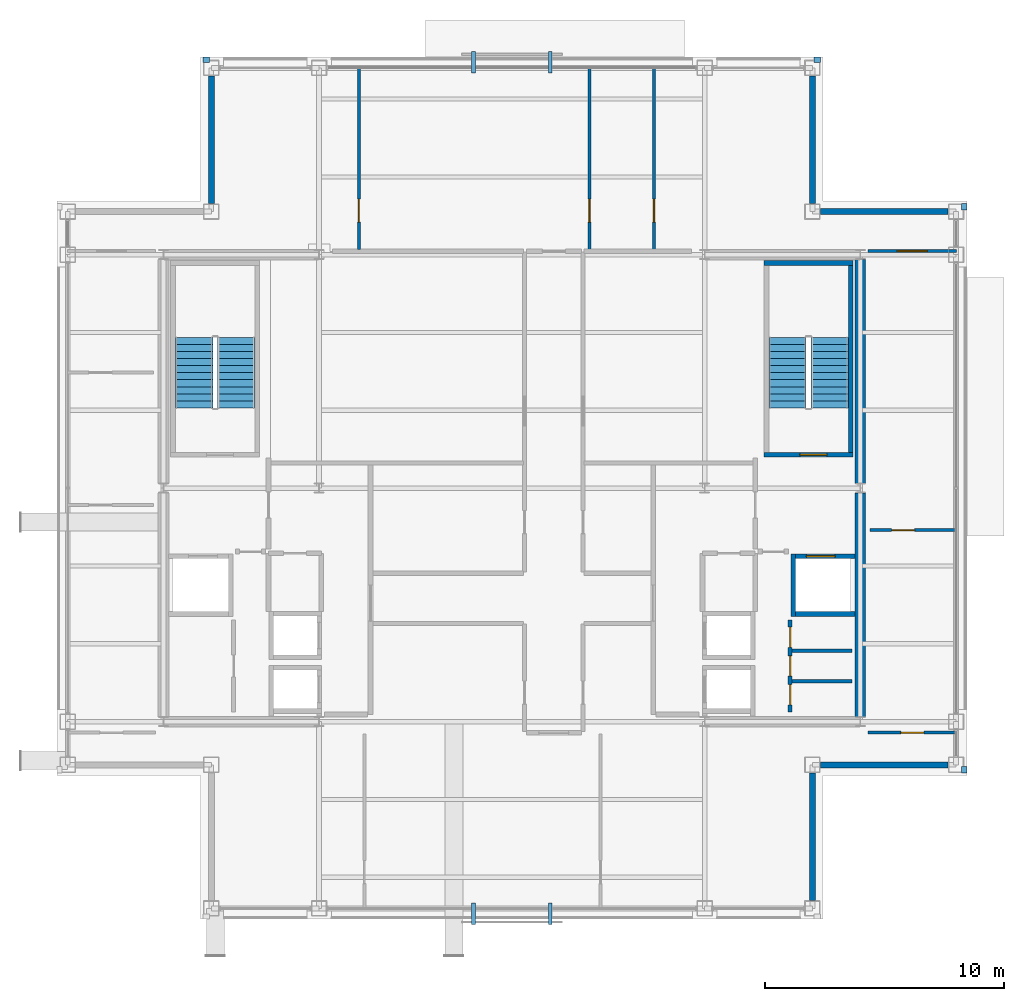
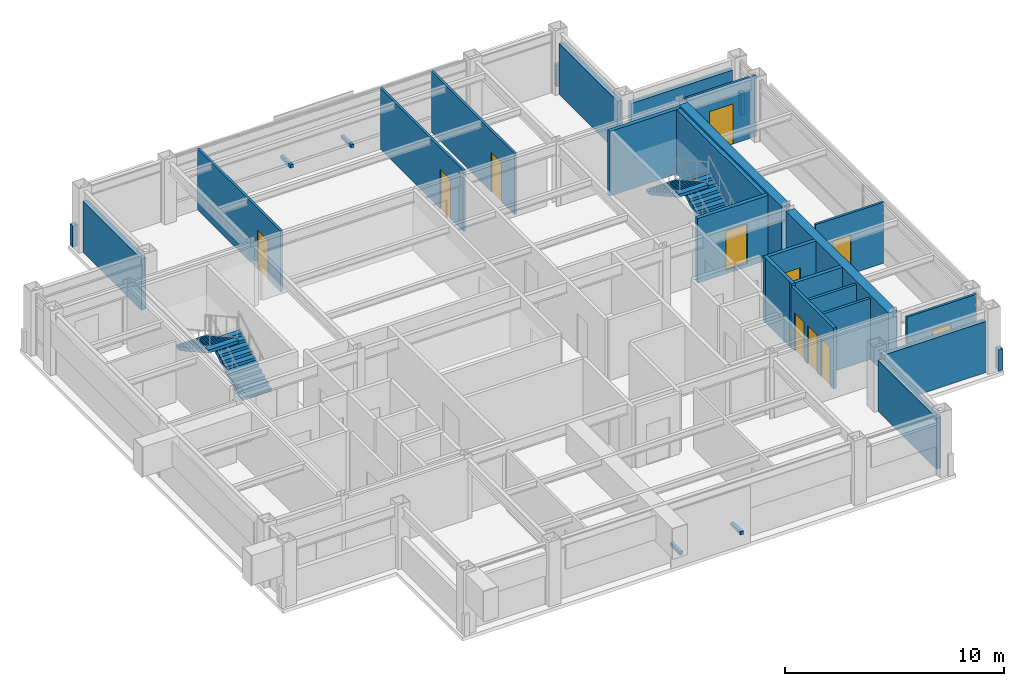
# One storey, part 19 of 20: 26 walls, 11 doors, 4 discrete accessories, 4 stair flights, 11 openings, 2 elements without a shape of their own.
"""IFC4 building model written with IfcOpenShell, lengths in metres."""

from ifc_helpers import new_model, si_unit, direction, frame, frame_2d, origin, origin_2d, place, context, subcontext, project, spatial, polyline, rectangle, outline, extrude, material, layer, layer_set, type_object, element, fill, aggregate, save


model = new_model("IFC4")

# Units and contexts
model_context = context("Model", 3, precision=1e-05, world=origin(), true_north=direction((0.0, 1.0)))
body_context = subcontext(model_context, "Body", "Model", "MODEL_VIEW")
ifc_project = project(units=[si_unit("LENGTHUNIT", "METRE"), si_unit("AREAUNIT", "SQUARE_METRE"), si_unit("VOLUMEUNIT", "CUBIC_METRE"), si_unit("PLANEANGLEUNIT", "RADIAN"), si_unit("MASSUNIT", "GRAM", prefix="KILO")], contexts=[model_context])

# Site, building, storey
site_placement = place(None, origin())
site = spatial("IfcSite", under=ifc_project, at=site_placement, CompositionType="ELEMENT")
building_placement = place(site_placement, origin())
building = spatial("IfcBuilding", under=site, at=building_placement, Name="Brelmoor Portico Tower", CompositionType="ELEMENT")
storey_placement = place(building_placement, frame((0.0, 0.0, 243.60009765625)))
storey = spatial("IfcBuildingStorey", under=building, at=storey_placement, Name="L64", CompositionType="ELEMENT", Elevation=243.60009765625)

# Walls
ifc_material_1 = material(Name="Concrete C50", Category="concrete")
ifc_layer_1 = layer(ifc_material_1, 0.449951171875)
ifc_layer_set_1 = layer_set([ifc_layer_1], Name="Concrete C50")
wall_type_1 = type_object("IfcWallType", Name="WL-CORE-450", PredefinedType="SHEAR", material=ifc_layer_set_1)
for number, where, z_axis, x_axis, name in (
    (1, (14.550048828125, -9.550048828125, -0.2001953125), (0.0, 0.0, 1.0), (0.0, 1.0, 0.0), "L64 EC Outer South Shear Wall"),
    (2, (14.550048828125, 0.199951171875, -0.2001953125), (0.0, 0.0, 1.0), (0.0, 1.0, 0.0), "L64 EC Outer North Shear Wall"),
):
    element("IfcWall", number, at=place(storey_placement, frame(where, z_axis=z_axis, x_axis=x_axis)), inside=storey, type_object=wall_type_1, Name=name, PredefinedType="SHEAR", context=body_context, shape_type="SweptSolid", body=[
        extrude(rectangle(XDim=9.35009765625, YDim=0.449951171875, at=frame_2d((4.675048828125, 0.0))), origin(), (0.0, 0.0, 1.0), 3.60009765625),
    ])
ifc_material_2 = material(Name="Precast Concrete C40 Insulated Facade Wall", Category="concrete")
ifc_layer_2 = layer(ifc_material_2, 0.25)
ifc_layer_set_2 = layer_set([ifc_layer_2], Name="Precast Concrete C40 Insulated Facade Wall")
wall_type_2 = type_object("IfcWallType", Name="WL-EXT-250", PredefinedType="STANDARD", material=ifc_layer_set_2)
for number, where, z_axis, x_axis, name in (
    (3, (12.885009765625, -11.550048828125, 0.0), (0.0, 0.0, 1.0), (1.0, 0.0, 0.0), "L64 Corner Notch Facade Wall NSEH1"),
    (4, (12.550048828125, -17.215087890625, 0.0), (0.0, 0.0, 1.0), (0.0, 1.0, 0.0), "L64 Corner Notch Facade Wall NSEV1"),
    (5, (-12.550048828125, 11.885009765625, 0.0), (0.0, 0.0, 1.0), (0.0, 1.0, 0.0), "L64 Corner Notch Facade Wall NNWV1"),
    (6, (12.885009765625, 11.550048828125, 0.0), (0.0, 0.0, 1.0), (1.0, 0.0, 0.0), "L64 Corner Notch Facade Wall NNEH1"),
    (7, (12.550048828125, 11.885009765625, 0.0), (0.0, 0.0, 1.0), (0.0, 1.0, 0.0), "L64 Corner Notch Facade Wall NNEV1"),
):
    element("IfcWall", number, at=place(storey_placement, frame(where, z_axis=z_axis, x_axis=x_axis)), inside=storey, type_object=wall_type_2, Name=name, PredefinedType="STANDARD", context=body_context, shape_type="SweptSolid", body=[
        extrude(rectangle(XDim=5.330078125, YDim=0.25, at=frame_2d((2.6650390625, 0.0))), origin(), (0.0, 0.0, 1.0), 2.849853515625),
    ])
ifc_material_3 = material(Name="Concrete C40 Parapet Upstand", Category="concrete")
ifc_layer_3 = layer(ifc_material_3, 0.219970703125)
ifc_layer_set_3 = layer_set([ifc_layer_3], Name="Concrete C40 Parapet Upstand")
wall_type_3 = type_object("IfcWallType", Name="WL-PARAPET-220", PredefinedType="PARAPET", material=ifc_layer_set_3)
for number, where, z_axis, x_axis, name in (
    (8, (18.889892578125, -11.889892578125, 0.0), (0.0, 0.0, 1.0), (0.0, 1.0, 0.0), "L64 Chamfer Vertex Parapet Pier SE2"),
    (9, (-12.889892578125, 17.889892578125, 0.0), (0.0, 0.0, 1.0), (1.0, 0.0, 0.0), "L64 Chamfer Vertex Parapet Pier NW1"),
    (10, (12.6201171875, 17.889892578125, 0.0), (0.0, 0.0, 1.0), (1.0, 0.0, 0.0), "L64 Chamfer Vertex Parapet Pier NE1"),
    (11, (18.889892578125, 11.6201171875, 0.0), (0.0, 0.0, 1.0), (0.0, 1.0, 0.0), "L64 Chamfer Vertex Parapet Pier NE2"),
):
    element("IfcWall", number, at=place(storey_placement, frame(where, z_axis=z_axis, x_axis=x_axis)), inside=storey, type_object=wall_type_3, Name=name, PredefinedType="PARAPET", context=body_context, shape_type="SweptSolid", body=[
        extrude(rectangle(XDim=0.269775390625, YDim=0.219970703125, at=frame_2d((0.134765625, 0.0))), origin(), (0.0, 0.0, 1.0), 1.199951171875),
    ])

# Wall, opening, door
ifc_material_4 = material(Name="Lightweight Gypsum Office Partition", Category="gypsum")
ifc_layer_4 = layer(ifc_material_4, 0.1201171875)
ifc_layer_set_4 = layer_set([ifc_layer_4], Name="Lightweight Gypsum Office Partition")
wall_type_4 = type_object("IfcWallType", Name="WL-PART-120", PredefinedType="PARTITIONING", material=ifc_layer_set_4)
wall_1_placement = place(storey_placement, frame((-6.3896484375, 9.9599609375, 0.0), z_axis=(0.0, 0.0, 1.0), x_axis=(0.0, 1.0, 0.0)))
wall_1 = element("IfcWall", 12, at=wall_1_placement, inside=storey, type_object=wall_type_4, Name="L64 North Suite Partition 1", PredefinedType="PARTITIONING", context=body_context, shape_type="SweptSolid", body=[
    extrude(rectangle(XDim=7.60009765625, YDim=0.1201171875, at=frame_2d((3.800048828125, 0.0))), origin(), (0.0, 0.0, 1.0), 3.39990234375),
])
opening_1_placement = place(wall_1_placement, frame((1.14990234375, 0.0, 0.0)))
opening_1 = element("IfcOpeningElement", 13, at=opening_1_placement, cuts=wall_1, Name="Opening D-IN2", PredefinedType="OPENING", context=body_context, shape_type="SweptSolid", body=[
    extrude(rectangle(XDim=0.9599609375, YDim=2.179931640625, at=frame_2d((0.47998046875, 1.08984375))), frame((0.0, 0.070068359375, 0.0), z_axis=(0.0, -1.0, 0.0), x_axis=(1.0, 0.0, 0.0)), (0.0, 0.0, 1.0), 0.14013671875),
])
ifc_material_5 = material(Name="Lacquered Timber Suite Door", Category="wood")
door_type_1 = type_object("IfcDoorType", Name="DR-INT-950", OperationType="NOTDEFINED", PredefinedType="DOOR", material=ifc_material_5)
door_1_placement = place(opening_1_placement, origin())
door_1 = element("IfcDoor", 14, at=door_1_placement, inside=storey, type_object=door_type_1, Name="D-2650 L64 North Suite Connecting Door 1", OperationType="SINGLE_SWING_RIGHT", OverallHeight=2.179931640625, OverallWidth=0.9599609375, PredefinedType="DOOR", context=body_context, shape_type="SweptSolid", body=[
    extrude(rectangle(XDim=0.9599609375, YDim=2.179931640625, at=frame_2d((0.47998046875, 1.08984375))), frame((0.0, 0.02490234375, 0.0), z_axis=(0.0, -1.0, 0.0), x_axis=(1.0, 0.0, 0.0)), (0.0, 0.0, 1.0), 0.050048828125),
])
fill(opening_1, door_1)

wall_2_placement = place(storey_placement, frame((3.240966796875, 9.9599609375, 0.0), z_axis=(0.0, 0.0, 1.0), x_axis=(0.0, 1.0, 0.0)))
wall_2 = element("IfcWall", 15, at=wall_2_placement, inside=storey, type_object=wall_type_4, Name="L64 North Suite Partition 2", PredefinedType="PARTITIONING", context=body_context, shape_type="SweptSolid", body=[
    extrude(rectangle(XDim=7.60009765625, YDim=0.1201171875, at=frame_2d((3.800048828125, 0.0))), origin(), (0.0, 0.0, 1.0), 3.39990234375),
])
opening_2_placement = place(wall_2_placement, frame((1.14990234375, 0.0, 0.0)))
opening_2 = element("IfcOpeningElement", 16, at=opening_2_placement, cuts=wall_2, Name="Opening D-IN2", PredefinedType="OPENING", context=body_context, shape_type="SweptSolid", body=[
    extrude(rectangle(XDim=0.9599609375, YDim=2.179931640625, at=frame_2d((0.47998046875, 1.08984375))), frame((0.0, 0.070068359375, 0.0), z_axis=(0.0, -1.0, 0.0), x_axis=(1.0, 0.0, 0.0)), (0.0, 0.0, 1.0), 0.14013671875),
])
door_2_placement = place(opening_2_placement, origin())
door_2 = element("IfcDoor", 17, at=door_2_placement, inside=storey, type_object=door_type_1, Name="D-2651 L64 North Suite Connecting Door 2", OperationType="SINGLE_SWING_LEFT", OverallHeight=2.179931640625, OverallWidth=0.9599609375, PredefinedType="DOOR", context=body_context, shape_type="SweptSolid", body=[
    extrude(rectangle(XDim=0.9599609375, YDim=2.179931640625, at=frame_2d((0.47998046875, 1.08984375))), frame((0.0, 0.02490234375, 0.0), z_axis=(0.0, -1.0, 0.0), x_axis=(1.0, 0.0, 0.0)), (0.0, 0.0, 1.0), 0.050048828125),
])
fill(opening_2, door_2)

wall_3_placement = place(storey_placement, frame((5.93310546875, 9.9599609375, 0.0), z_axis=(0.0, 0.0, 1.0), x_axis=(0.0, 1.0, 0.0)))
wall_3 = element("IfcWall", 18, at=wall_3_placement, inside=storey, type_object=wall_type_4, Name="L64 North Suite Partition 3", PredefinedType="PARTITIONING", context=body_context, shape_type="SweptSolid", body=[
    extrude(rectangle(XDim=7.60009765625, YDim=0.1201171875, at=frame_2d((3.800048828125, 0.0))), origin(), (0.0, 0.0, 1.0), 3.39990234375),
])
opening_3_placement = place(wall_3_placement, frame((1.14990234375, 0.0, 0.0)))
opening_3 = element("IfcOpeningElement", 19, at=opening_3_placement, cuts=wall_3, Name="Opening D-IN2", PredefinedType="OPENING", context=body_context, shape_type="SweptSolid", body=[
    extrude(rectangle(XDim=0.9599609375, YDim=2.179931640625, at=frame_2d((0.47998046875, 1.08984375))), frame((0.0, 0.070068359375, 0.0), z_axis=(0.0, -1.0, 0.0), x_axis=(1.0, 0.0, 0.0)), (0.0, 0.0, 1.0), 0.14013671875),
])
door_3_placement = place(opening_3_placement, origin())
door_3 = element("IfcDoor", 20, at=door_3_placement, inside=storey, type_object=door_type_1, Name="D-2652 L64 North Suite Connecting Door 3", OperationType="SINGLE_SWING_RIGHT", OverallHeight=2.179931640625, OverallWidth=0.9599609375, PredefinedType="DOOR", context=body_context, shape_type="SweptSolid", body=[
    extrude(rectangle(XDim=0.9599609375, YDim=2.179931640625, at=frame_2d((0.47998046875, 1.08984375))), frame((0.0, 0.02490234375, 0.0), z_axis=(0.0, -1.0, 0.0), x_axis=(1.0, 0.0, 0.0)), (0.0, 0.0, 1.0), 0.050048828125),
])
fill(opening_3, door_3)

wall_4_placement = place(storey_placement, frame((14.8798828125, 9.89990234375, 0.0), z_axis=(0.0, 0.0, 1.0), x_axis=(1.0, 0.0, 0.0)))
wall_4 = element("IfcWall", 21, at=wall_4_placement, inside=storey, type_object=wall_type_4, Name="L64 North Wing Suite Wall ER", PredefinedType="PARTITIONING", context=body_context, shape_type="SweptSolid", body=[
    extrude(rectangle(XDim=3.68017578125, YDim=0.1201171875, at=frame_2d((1.840087890625, 0.0))), origin(), (0.0, 0.0, 1.0), 3.39990234375),
])
opening_4_placement = place(wall_4_placement, frame((1.219970703125, 0.0, 0.0)))
opening_4 = element("IfcOpeningElement", 22, at=opening_4_placement, cuts=wall_4, Name="Opening D-SU1", PredefinedType="OPENING", context=body_context, shape_type="SweptSolid", body=[
    extrude(rectangle(XDim=1.239990234375, YDim=2.239990234375, at=frame_2d((0.6201171875, 1.1201171875))), frame((0.0, 0.070068359375, 0.0), z_axis=(0.0, -1.0, 0.0), x_axis=(1.0, 0.0, 0.0)), (0.0, 0.0, 1.0), 0.14013671875),
])
ifc_material_6 = material(Name="Glazed Timber Executive Suite Door", Category="wood")
door_type_2 = type_object("IfcDoorType", Name="DR-SUITE-1200", OperationType="NOTDEFINED", PredefinedType="DOOR", material=ifc_material_6)
door_4_placement = place(opening_4_placement, origin())
door_4 = element("IfcDoor", 23, at=door_4_placement, inside=storey, type_object=door_type_2, Name="D-2653 L64 ER Wing Suite Connecting Door", OperationType="SINGLE_SWING_LEFT", OverallHeight=2.239990234375, OverallWidth=1.239990234375, PredefinedType="DOOR", context=body_context, shape_type="SweptSolid", body=[
    extrude(rectangle(XDim=1.239990234375, YDim=2.239990234375, at=frame_2d((0.6201171875, 1.1201171875))), frame((0.0, 0.02490234375, 0.0), z_axis=(0.0, -1.0, 0.0), x_axis=(1.0, 0.0, 0.0)), (0.0, 0.0, 1.0), 0.050048828125),
])
fill(opening_4, door_4)

wall_5_placement = place(storey_placement, frame((14.8798828125, -10.2099609375, 0.0), z_axis=(0.0, 0.0, 1.0), x_axis=(1.0, 0.0, 0.0)))
wall_5 = element("IfcWall", 24, at=wall_5_placement, inside=storey, type_object=wall_type_4, Name="L64 South Wing Closure ER", PredefinedType="PARTITIONING", context=body_context, shape_type="SweptSolid", body=[
    extrude(rectangle(XDim=3.68017578125, YDim=0.1201171875, at=frame_2d((1.840087890625, 0.0))), origin(), (0.0, 0.0, 1.0), 3.39990234375),
])
opening_5_placement = place(wall_5_placement, frame((1.360107421875, 0.0, 0.0)))
opening_5 = element("IfcOpeningElement", 25, at=opening_5_placement, cuts=wall_5, Name="Opening D-IN2", PredefinedType="OPENING", context=body_context, shape_type="SweptSolid", body=[
    extrude(rectangle(XDim=0.9599609375, YDim=2.179931640625, at=frame_2d((0.47998046875, 1.08984375))), frame((0.0, 0.070068359375, 0.0), z_axis=(0.0, -1.0, 0.0), x_axis=(1.0, 0.0, 0.0)), (0.0, 0.0, 1.0), 0.14013671875),
])
door_5_placement = place(opening_5_placement, origin())
door_5 = element("IfcDoor", 26, at=door_5_placement, inside=storey, type_object=door_type_1, Name="D-2660 L64 ER Wing South Suite Door", OperationType="SINGLE_SWING_RIGHT", OverallHeight=2.179931640625, OverallWidth=0.9599609375, PredefinedType="DOOR", context=body_context, shape_type="SweptSolid", body=[
    extrude(rectangle(XDim=0.9599609375, YDim=2.179931640625, at=frame_2d((0.47998046875, 1.08984375))), frame((0.0, 0.02490234375, 0.0), z_axis=(0.0, -1.0, 0.0), x_axis=(1.0, 0.0, 0.0)), (0.0, 0.0, 1.0), 0.050048828125),
])
fill(opening_5, door_5)

wall_6_placement = place(storey_placement, frame((14.9599609375, -1.7509765625, 0.0), z_axis=(0.0, 0.0, 1.0), x_axis=(1.0, 0.0, 0.0)))
wall_6 = element("IfcWall", 27, at=wall_6_placement, inside=storey, type_object=wall_type_4, Name="L64 E Wing Partition 1", PredefinedType="PARTITIONING", context=body_context, shape_type="SweptSolid", body=[
    extrude(rectangle(XDim=3.60009765625, YDim=0.1201171875, at=frame_2d((1.800048828125, 0.0))), origin(), (0.0, 0.0, 1.0), 3.39990234375),
])
opening_6_placement = place(wall_6_placement, frame((0.89990234375, 0.0, 0.0)))
opening_6 = element("IfcOpeningElement", 28, at=opening_6_placement, cuts=wall_6, Name="Opening D-IN2", PredefinedType="OPENING", context=body_context, shape_type="SweptSolid", body=[
    extrude(rectangle(XDim=0.9599609375, YDim=2.179931640625, at=frame_2d((0.47998046875, 1.08984375))), frame((0.0, 0.070068359375, 0.0), z_axis=(0.0, -1.0, 0.0), x_axis=(1.0, 0.0, 0.0)), (0.0, 0.0, 1.0), 0.14013671875),
])
door_6_placement = place(opening_6_placement, origin())
door_6 = element("IfcDoor", 29, at=door_6_placement, inside=storey, type_object=door_type_1, Name="D-2662 L64 E Wing Suite Connecting Door 1", OperationType="SINGLE_SWING_LEFT", OverallHeight=2.179931640625, OverallWidth=0.9599609375, PredefinedType="DOOR", context=body_context, shape_type="SweptSolid", body=[
    extrude(rectangle(XDim=0.9599609375, YDim=2.179931640625, at=frame_2d((0.47998046875, 1.08984375))), frame((0.0, 0.02490234375, 0.0), z_axis=(0.0, -1.0, 0.0), x_axis=(1.0, 0.0, 0.0)), (0.0, 0.0, 1.0), 0.050048828125),
])
fill(opening_6, door_6)

# Walls
ifc_material_7 = material(Name="Insulated Stud Suite Partition", Category="gypsum")
ifc_layer_5 = layer(ifc_material_7, 0.139892578125)
ifc_layer_set_5 = layer_set([ifc_layer_5], Name="Insulated Stud Suite Partition")
wall_type_5 = type_object("IfcWallType", Name="WL-PART-140", PredefinedType="PARTITIONING", material=ifc_layer_set_5)
for number, where, z_axis, x_axis, name in (
    (30, (11.699951171875, -8.066650390625, 0.0), (0.0, 0.0, 1.0), (1.0, 0.0, 0.0), "L64 E Core WC Divider 1"),
    (31, (11.699951171875, -6.783203125, 0.0), (0.0, 0.0, 1.0), (1.0, 0.0, 0.0), "L64 E Core WC Divider 2"),
):
    element("IfcWall", number, at=place(storey_placement, frame(where, z_axis=z_axis, x_axis=x_axis)), inside=storey, type_object=wall_type_5, Name=name, PredefinedType="PARTITIONING", context=body_context, shape_type="SweptSolid", body=[
        extrude(rectangle(XDim=2.5, YDim=0.139892578125, at=frame_2d((1.25, 0.0))), origin(), (0.0, 0.0, 1.0), 3.39990234375),
    ])

# Wall, openings, doors
ifc_material_8 = material(Name="Twin-Frame Acoustic Partition", Category="gypsum")
ifc_layer_6 = layer(ifc_material_8, 0.159912109375)
ifc_layer_set_6 = layer_set([ifc_layer_6], Name="Twin-Frame Acoustic Partition")
wall_type_6 = type_object("IfcWallType", Name="WL-PART-160", PredefinedType="PARTITIONING", material=ifc_layer_set_6)
wall_7_placement = place(storey_placement, frame((11.6201171875, -9.35009765625, 0.0), z_axis=(0.0, 0.0, 1.0), x_axis=(0.0, 1.0, 0.0)))
wall_7 = element("IfcWall", 32, at=wall_7_placement, inside=storey, type_object=wall_type_6, Name="L64 E Core Service Front Wall", PredefinedType="PARTITIONING", context=body_context, shape_type="SweptSolid", body=[
    extrude(rectangle(XDim=3.85009765625, YDim=0.159912109375, at=frame_2d((1.925048828125, 0.0))), origin(), (0.0, 0.0, 1.0), 3.39990234375),
])
opening_7_placement = place(wall_7_placement, frame((0.300048828125, 0.0, 0.0)))
opening_7 = element("IfcOpeningElement", 33, at=opening_7_placement, cuts=wall_7, Name="Opening D-WC1", PredefinedType="OPENING", context=body_context, shape_type="SweptSolid", body=[
    extrude(rectangle(XDim=0.85009765625, YDim=2.1201171875, at=frame_2d((0.425048828125, 1.06005859375))), frame((0.0, 0.08984375, 0.0), z_axis=(0.0, -1.0, 0.0), x_axis=(1.0, 0.0, 0.0)), (0.0, 0.0, 1.0), 0.179931640625),
])
opening_8_placement = place(wall_7_placement, frame((1.5, 0.0, 0.0)))
opening_8 = element("IfcOpeningElement", 34, at=opening_8_placement, cuts=wall_7, Name="Opening D-WC1", PredefinedType="OPENING", context=body_context, shape_type="SweptSolid", body=[
    extrude(rectangle(XDim=0.85009765625, YDim=2.1201171875, at=frame_2d((0.425048828125, 1.06005859375))), frame((0.0, 0.08984375, 0.0), z_axis=(0.0, -1.0, 0.0), x_axis=(1.0, 0.0, 0.0)), (0.0, 0.0, 1.0), 0.179931640625),
])
opening_9_placement = place(wall_7_placement, frame((2.699951171875, 0.0, 0.0)))
opening_9 = element("IfcOpeningElement", 35, at=opening_9_placement, cuts=wall_7, Name="Opening D-WC1", PredefinedType="OPENING", context=body_context, shape_type="SweptSolid", body=[
    extrude(rectangle(XDim=0.85009765625, YDim=2.1201171875, at=frame_2d((0.425048828125, 1.06005859375))), frame((0.0, 0.08984375, 0.0), z_axis=(0.0, -1.0, 0.0), x_axis=(1.0, 0.0, 0.0)), (0.0, 0.0, 1.0), 0.179931640625),
])
ifc_material_9 = material(Name="Moisture-Resistant Laminate WC Door", Category="timber")
door_type_3 = type_object("IfcDoorType", Name="DR-WC-850", OperationType="NOTDEFINED", PredefinedType="DOOR", material=ifc_material_9)
door_7_placement = place(opening_7_placement, origin())
door_7 = element("IfcDoor", 36, at=door_7_placement, inside=storey, type_object=door_type_3, Name="D-2637 L64 E Male WC Door", OperationType="SINGLE_SWING_LEFT", OverallHeight=2.1201171875, OverallWidth=0.85009765625, PredefinedType="DOOR", context=body_context, shape_type="SweptSolid", body=[
    extrude(rectangle(XDim=0.85009765625, YDim=2.1201171875, at=frame_2d((0.425048828125, 1.06005859375))), frame((0.0, 0.02490234375, 0.0), z_axis=(0.0, -1.0, 0.0), x_axis=(1.0, 0.0, 0.0)), (0.0, 0.0, 1.0), 0.050048828125),
])
fill(opening_7, door_7)
door_8_placement = place(opening_8_placement, origin())
door_8 = element("IfcDoor", 37, at=door_8_placement, inside=storey, type_object=door_type_3, Name="D-2638 L64 E Female WC Door", OperationType="SINGLE_SWING_RIGHT", OverallHeight=2.1201171875, OverallWidth=0.85009765625, PredefinedType="DOOR", context=body_context, shape_type="SweptSolid", body=[
    extrude(rectangle(XDim=0.85009765625, YDim=2.1201171875, at=frame_2d((0.425048828125, 1.06005859375))), frame((0.0, 0.02490234375, 0.0), z_axis=(0.0, -1.0, 0.0), x_axis=(1.0, 0.0, 0.0)), (0.0, 0.0, 1.0), 0.050048828125),
])
fill(opening_8, door_8)
door_9_placement = place(opening_9_placement, origin())
door_9 = element("IfcDoor", 38, at=door_9_placement, inside=storey, type_object=door_type_3, Name="D-2639 L64 E Janitor Store Door", OperationType="SINGLE_SWING_LEFT", OverallHeight=2.1201171875, OverallWidth=0.85009765625, PredefinedType="DOOR", context=body_context, shape_type="SweptSolid", body=[
    extrude(rectangle(XDim=0.85009765625, YDim=2.1201171875, at=frame_2d((0.425048828125, 1.06005859375))), frame((0.0, 0.02490234375, 0.0), z_axis=(0.0, -1.0, 0.0), x_axis=(1.0, 0.0, 0.0)), (0.0, 0.0, 1.0), 0.050048828125),
])
fill(opening_9, door_9)

# Wall, opening, door
ifc_material_10 = material(Name="Precast Concrete C40", Category="concrete")
ifc_layer_7 = layer(ifc_material_10, 0.18994140625)
ifc_layer_set_7 = layer_set([ifc_layer_7], Name="Precast Concrete C40")
wall_type_7 = type_object("IfcWallType", Name="WL-SHAFT-180", PredefinedType="SOLIDWALL", material=ifc_layer_set_7)
wall_8_placement = place(storey_placement, frame((11.64990234375, -2.844970703125, -0.2001953125), z_axis=(0.0, 0.0, 1.0), x_axis=(1.0, 0.0, 0.0)))
wall_8 = element("IfcWall", 39, at=wall_8_placement, inside=storey, type_object=wall_type_7, Name="L64 Lift FF2 Hoistway Front Wall", PredefinedType="SOLIDWALL", context=body_context, shape_type="SweptSolid", body=[
    extrude(rectangle(XDim=2.68017578125, YDim=0.18994140625, at=frame_2d((1.340087890625, 0.0))), origin(), (0.0, 0.0, 1.0), 3.60009765625),
])
opening_10_placement = place(wall_8_placement, frame((0.64990234375, 0.0, 0.199951171875)))
opening_10 = element("IfcOpeningElement", 40, at=opening_10_placement, cuts=wall_8, Name="Opening LD-02", PredefinedType="OPENING", context=body_context, shape_type="SweptSolid", body=[
    extrude(rectangle(XDim=1.199951171875, YDim=2.199951171875, at=frame_2d((0.60009765625, 1.10009765625))), frame((0.0, 0.10498046875, 0.0), z_axis=(0.0, -1.0, 0.0), x_axis=(1.0, 0.0, 0.0)), (0.0, 0.0, 1.0), 0.2099609375),
])
ifc_material_11 = material(Name="Brushed Stainless Steel Firefighting Lift Door", Category="steel")
door_type_4 = type_object("IfcDoorType", Name="DR-LIFT-1200", OperationType="NOTDEFINED", PredefinedType="DOOR", material=ifc_material_11)
door_10_placement = place(opening_10_placement, origin())
door_10 = element("IfcDoor", 41, at=door_10_placement, inside=storey, type_object=door_type_4, Name="D-2666 L64 Lift FF2 Sliding Landing Door", OperationType="SLIDING_TO_LEFT", OverallHeight=2.199951171875, OverallWidth=1.199951171875, PredefinedType="DOOR", context=body_context, shape_type="SweptSolid", body=[
    extrude(rectangle(XDim=1.199951171875, YDim=2.199951171875, at=frame_2d((0.60009765625, 1.10009765625))), frame((0.0, 0.02490234375, 0.0), z_axis=(0.0, -1.0, 0.0), x_axis=(1.0, 0.0, 0.0)), (0.0, 0.0, 1.0), 0.050048828125),
])
fill(opening_10, door_10)

# Walls
wall_9_placement = place(storey_placement, frame((11.64990234375, -5.2548828125, -0.2001953125), z_axis=(0.0, 0.0, 1.0), x_axis=(1.0, 0.0, 0.0)))
element("IfcWall", 42, at=wall_9_placement, inside=storey, type_object=wall_type_7, Name="L64 Firefighting Lift FF2 South Wall", PredefinedType="SOLIDWALL", context=body_context, shape_type="SweptSolid", body=[
    extrude(rectangle(XDim=2.68017578125, YDim=0.18994140625, at=frame_2d((1.340087890625, 0.0))), origin(), (0.0, 0.0, 1.0), 3.60009765625),
])
wall_10_placement = place(storey_placement, frame((11.7451171875, -5.35009765625, -0.2001953125), z_axis=(0.0, 0.0, 1.0), x_axis=(0.0, 1.0, 0.0)))
element("IfcWall", 43, at=wall_10_placement, inside=storey, type_object=wall_type_7, Name="L64 Firefighting Lift FF2 Inner Wall", PredefinedType="SOLIDWALL", context=body_context, shape_type="SweptSolid", body=[
    extrude(rectangle(XDim=2.60009765625, YDim=0.18994140625, at=frame_2d((1.300048828125, 0.0))), origin(), (0.0, 0.0, 1.0), 3.60009765625),
])
ifc_material_12 = material(Name="Concrete C40", Category="concrete")
ifc_layer_8 = layer(ifc_material_12, 0.199951171875)
ifc_layer_set_8 = layer_set([ifc_layer_8], Name="Concrete C40")
wall_type_8 = type_object("IfcWallType", Name="WL-SHAFT-RC200", PredefinedType="SOLIDWALL", material=ifc_layer_set_8)
wall_11_placement = place(storey_placement, frame((14.14990234375, 1.5, -0.2001953125), z_axis=(0.0, 0.0, 1.0), x_axis=(0.0, 1.0, 0.0)))
element("IfcWall", 44, at=wall_11_placement, inside=storey, type_object=wall_type_8, Name="L64 ST-E Structural Stair Wall Outer", PredefinedType="SOLIDWALL", context=body_context, shape_type="SweptSolid", body=[
    extrude(rectangle(XDim=7.800048828125, YDim=0.199951171875, at=frame_2d((3.89990234375, 0.0))), origin(), (0.0, 0.0, 1.0), 3.60009765625),
])

# Wall, opening, door
wall_12_placement = place(storey_placement, frame((10.530029296875, 1.39990234375, -0.2001953125), z_axis=(0.0, 0.0, 1.0), x_axis=(1.0, 0.0, 0.0)))
wall_12 = element("IfcWall", 45, at=wall_12_placement, inside=storey, type_object=wall_type_8, Name="L64 ST-E Structural Stair Wall S", PredefinedType="SOLIDWALL", context=body_context, shape_type="SweptSolid", body=[
    extrude(rectangle(XDim=3.719970703125, YDim=0.199951171875, at=frame_2d((1.85986328125, 0.0))), origin(), (0.0, 0.0, 1.0), 3.60009765625),
])
opening_11_placement = place(wall_12_placement, frame((1.5, 0.0, 0.199951171875)))
opening_11 = element("IfcOpeningElement", 46, at=opening_11_placement, cuts=wall_12, Name="Opening D-ST1", PredefinedType="OPENING", context=body_context, shape_type="SweptSolid", body=[
    extrude(rectangle(XDim=1.1201171875, YDim=2.179931640625, at=frame_2d((0.56005859375, 1.08984375))), frame((0.0, 0.10986328125, 0.0), z_axis=(0.0, -1.0, 0.0), x_axis=(1.0, 0.0, 0.0)), (0.0, 0.0, 1.0), 0.219970703125),
])
ifc_material_13 = material(Name="Painted Galvanised Steel Fire Door", Category="steel")
door_type_5 = type_object("IfcDoorType", Name="DR-STAIR-1100", OperationType="NOTDEFINED", PredefinedType="DOOR", material=ifc_material_13)
door_11_placement = place(opening_11_placement, origin())
door_11 = element("IfcDoor", 47, at=door_11_placement, inside=storey, type_object=door_type_5, Name="D-2658 L64 ST-E Protected Exit Stair Door", OperationType="SINGLE_SWING_RIGHT", OverallHeight=2.179931640625, OverallWidth=1.1201171875, PredefinedType="DOOR", context=body_context, shape_type="SweptSolid", body=[
    extrude(rectangle(XDim=1.1201171875, YDim=2.179931640625, at=frame_2d((0.56005859375, 1.08984375))), frame((0.0, 0.02490234375, 0.0), z_axis=(0.0, -1.0, 0.0), x_axis=(1.0, 0.0, 0.0)), (0.0, 0.0, 1.0), 0.050048828125),
])
fill(opening_11, door_11)

# Wall
wall_13_placement = place(storey_placement, frame((10.530029296875, 9.39990234375, -0.2001953125), z_axis=(0.0, 0.0, 1.0), x_axis=(1.0, 0.0, 0.0)))
element("IfcWall", 48, at=wall_13_placement, inside=storey, type_object=wall_type_8, Name="L64 ST-E Structural Stair Wall N", PredefinedType="SOLIDWALL", context=body_context, shape_type="SweptSolid", body=[
    extrude(rectangle(XDim=3.719970703125, YDim=0.199951171875, at=frame_2d((1.85986328125, 0.0))), origin(), (0.0, 0.0, 1.0), 3.60009765625),
])

# Stair, stair flights
stair_type_1 = type_object("IfcStairType", Name="ST-CORE-W", PredefinedType="HALF_TURN_STAIR", material=ifc_material_12)
stair_1_placement = place(storey_placement, origin())
stair_1 = element("IfcStair", 49, at=stair_1_placement, inside=storey, type_object=stair_type_1, Name="L64 Protected Core Exit Stair ST-W", PredefinedType="HALF_TURN_STAIR")
stair_flight_type = type_object("IfcStairFlightType", Name="SF-CORE-1850", PredefinedType="STRAIGHT", material=ifc_material_12)
stair_flight_1_placement = place(storey_placement, frame((-11.510009765625, 3.35009765625, 0.0), z_axis=(0.0, 0.0, 1.0), x_axis=(0.0, 1.0, 0.0)))
stair_flight_1 = element("IfcStairFlight", 50, at=stair_flight_1_placement, type_object=stair_flight_type, Name="ST-W flight 1", NumberOfRisers=11, NumberOfTreads=10, PredefinedType="STRAIGHT", RiserHeight=0.163636364, TreadLength=0.295, context=body_context, shape_type="SweptSolid", body=[
    extrude(outline(polyline([(0.0, 0.0), (0.0, 0.16357421875), (0.294921875, 0.16357421875), (0.294921875, 0.327392578125), (0.590087890625, 0.327392578125), (0.590087890625, 0.490966796875), (0.885009765625, 0.490966796875), (0.885009765625, 0.654541015625), (1.179931640625, 0.654541015625), (1.179931640625, 0.818115234375), (1.47509765625, 0.818115234375), (1.47509765625, 0.98193359375), (1.77001953125, 0.98193359375), (1.77001953125, 1.1455078125), (2.06494140625, 1.1455078125), (2.06494140625, 1.30908203125), (2.360107421875, 1.30908203125), (2.360107421875, 1.47265625), (2.655029296875, 1.47265625), (2.655029296875, 1.636474609375), (2.949951171875, 1.636474609375), (2.949951171875, 1.800048828125), (2.949951171875, 1.46484375), (0.30908203125, 0.0), (0.0, 0.0)])), frame((0.0, 0.780029296875, 0.0), z_axis=(0.0, -1.0, 0.0), x_axis=(1.0, 0.0, 0.0)), (0.0, 0.0, 1.0), 1.56005859375),
])
stair_flight_2_placement = place(storey_placement, frame((-13.27001953125, 6.300048828125, 1.7998046875), z_axis=(0.0, 0.0, 1.0), x_axis=(0.0, -1.0, 0.0)))
stair_flight_2 = element("IfcStairFlight", 51, at=stair_flight_2_placement, type_object=stair_flight_type, Name="ST-W flight 2", NumberOfRisers=11, NumberOfTreads=10, PredefinedType="STRAIGHT", RiserHeight=0.163636364, TreadLength=0.295, context=body_context, shape_type="SweptSolid", body=[
    extrude(outline(polyline([(0.0, 0.0), (0.0, 0.16357421875), (0.294921875, 0.16357421875), (0.294921875, 0.327392578125), (0.590087890625, 0.327392578125), (0.590087890625, 0.490966796875), (0.885009765625, 0.490966796875), (0.885009765625, 0.654541015625), (1.179931640625, 0.654541015625), (1.179931640625, 0.818115234375), (1.47509765625, 0.818115234375), (1.47509765625, 0.98193359375), (1.77001953125, 0.98193359375), (1.77001953125, 1.1455078125), (2.06494140625, 1.1455078125), (2.06494140625, 1.30908203125), (2.360107421875, 1.30908203125), (2.360107421875, 1.47265625), (2.655029296875, 1.47265625), (2.655029296875, 1.636474609375), (2.949951171875, 1.636474609375), (2.949951171875, 1.800048828125), (2.949951171875, 1.46484375), (0.30908203125, 0.0), (0.0, 0.0)])), frame((0.0, 0.780029296875, 0.0), z_axis=(0.0, -1.0, 0.0), x_axis=(1.0, 0.0, 0.0)), (0.0, 0.0, 1.0), 1.56005859375),
])
aggregate(stair_1, [stair_flight_1, stair_flight_2])

stair_type_2 = type_object("IfcStairType", Name="ST-CORE-E", PredefinedType="HALF_TURN_STAIR", material=ifc_material_12)
stair_2_placement = place(storey_placement, origin())
stair_2 = element("IfcStair", 52, at=stair_2_placement, inside=storey, type_object=stair_type_2, Name="L64 Protected Core Exit Stair ST-E", PredefinedType="HALF_TURN_STAIR")
stair_flight_3_placement = place(storey_placement, frame((13.27001953125, 3.35009765625, 0.0), z_axis=(0.0, 0.0, 1.0), x_axis=(0.0, 1.0, 0.0)))
stair_flight_3 = element("IfcStairFlight", 53, at=stair_flight_3_placement, type_object=stair_flight_type, Name="ST-E flight 1", NumberOfRisers=11, NumberOfTreads=10, PredefinedType="STRAIGHT", RiserHeight=0.163636364, TreadLength=0.295, context=body_context, shape_type="SweptSolid", body=[
    extrude(outline(polyline([(0.0, 0.0), (0.0, 0.16357421875), (0.294921875, 0.16357421875), (0.294921875, 0.327392578125), (0.590087890625, 0.327392578125), (0.590087890625, 0.490966796875), (0.885009765625, 0.490966796875), (0.885009765625, 0.654541015625), (1.179931640625, 0.654541015625), (1.179931640625, 0.818115234375), (1.47509765625, 0.818115234375), (1.47509765625, 0.98193359375), (1.77001953125, 0.98193359375), (1.77001953125, 1.1455078125), (2.06494140625, 1.1455078125), (2.06494140625, 1.30908203125), (2.360107421875, 1.30908203125), (2.360107421875, 1.47265625), (2.655029296875, 1.47265625), (2.655029296875, 1.636474609375), (2.949951171875, 1.636474609375), (2.949951171875, 1.800048828125), (2.949951171875, 1.46484375), (0.30908203125, 0.0), (0.0, 0.0)])), frame((0.0, 0.780029296875, 0.0), z_axis=(0.0, -1.0, 0.0), x_axis=(1.0, 0.0, 0.0)), (0.0, 0.0, 1.0), 1.56005859375),
])
stair_flight_4_placement = place(storey_placement, frame((11.510009765625, 6.300048828125, 1.7998046875), z_axis=(0.0, 0.0, 1.0), x_axis=(0.0, -1.0, 0.0)))
stair_flight_4 = element("IfcStairFlight", 54, at=stair_flight_4_placement, type_object=stair_flight_type, Name="ST-E flight 2", NumberOfRisers=11, NumberOfTreads=10, PredefinedType="STRAIGHT", RiserHeight=0.163636364, TreadLength=0.295, context=body_context, shape_type="SweptSolid", body=[
    extrude(outline(polyline([(0.0, 0.0), (0.0, 0.16357421875), (0.294921875, 0.16357421875), (0.294921875, 0.327392578125), (0.590087890625, 0.327392578125), (0.590087890625, 0.490966796875), (0.885009765625, 0.490966796875), (0.885009765625, 0.654541015625), (1.179931640625, 0.654541015625), (1.179931640625, 0.818115234375), (1.47509765625, 0.818115234375), (1.47509765625, 0.98193359375), (1.77001953125, 0.98193359375), (1.77001953125, 1.1455078125), (2.06494140625, 1.1455078125), (2.06494140625, 1.30908203125), (2.360107421875, 1.30908203125), (2.360107421875, 1.47265625), (2.655029296875, 1.47265625), (2.655029296875, 1.636474609375), (2.949951171875, 1.636474609375), (2.949951171875, 1.800048828125), (2.949951171875, 1.46484375), (0.30908203125, 0.0), (0.0, 0.0)])), frame((0.0, 0.780029296875, 0.0), z_axis=(0.0, -1.0, 0.0), x_axis=(1.0, 0.0, 0.0)), (0.0, 0.0, 1.0), 1.56005859375),
])
aggregate(stair_2, [stair_flight_3, stair_flight_4])

# Discrete accessories
ifc_material_14 = material(Name="Galvanised Steel Q355B", Category="steel")
discrete_accessory_type = type_object("IfcDiscreteAccessoryType", Name="DA-SCREEN-BRACKET", PredefinedType="BRACKET", material=ifc_material_14)
for number, where, z_axis, x_axis, name in (
    (55, (-1.60009765625, -17.780029296875, 0.759765625), (0.0, 0.0, 1.0), (1.0, 0.0, 0.0), "L64 Solar Screen Bracket S1A"),
    (56, (1.60009765625, -17.780029296875, 0.759765625), (0.0, 0.0, 1.0), (1.0, 0.0, 0.0), "L64 Solar Screen Bracket S1B"),
    (57, (-1.60009765625, 17.780029296875, 0.759765625), (0.0, 0.0, 1.0), (1.0, 0.0, 0.0), "L64 Solar Screen Bracket N1A"),
    (58, (1.60009765625, 17.780029296875, 0.759765625), (0.0, 0.0, 1.0), (1.0, 0.0, 0.0), "L64 Solar Screen Bracket N1B"),
):
    element("IfcDiscreteAccessory", number, at=place(storey_placement, frame(where, z_axis=z_axis, x_axis=x_axis)), inside=storey, type_object=discrete_accessory_type, Name=name, PredefinedType="BRACKET", context=body_context, shape_type="SweptSolid", body=[
        extrude(rectangle(XDim=0.159912109375, YDim=0.89990234375, at=origin_2d()), origin(), (0.0, 0.0, 1.0), 0.179931640625),
    ])

save(model, "model.ifc")
